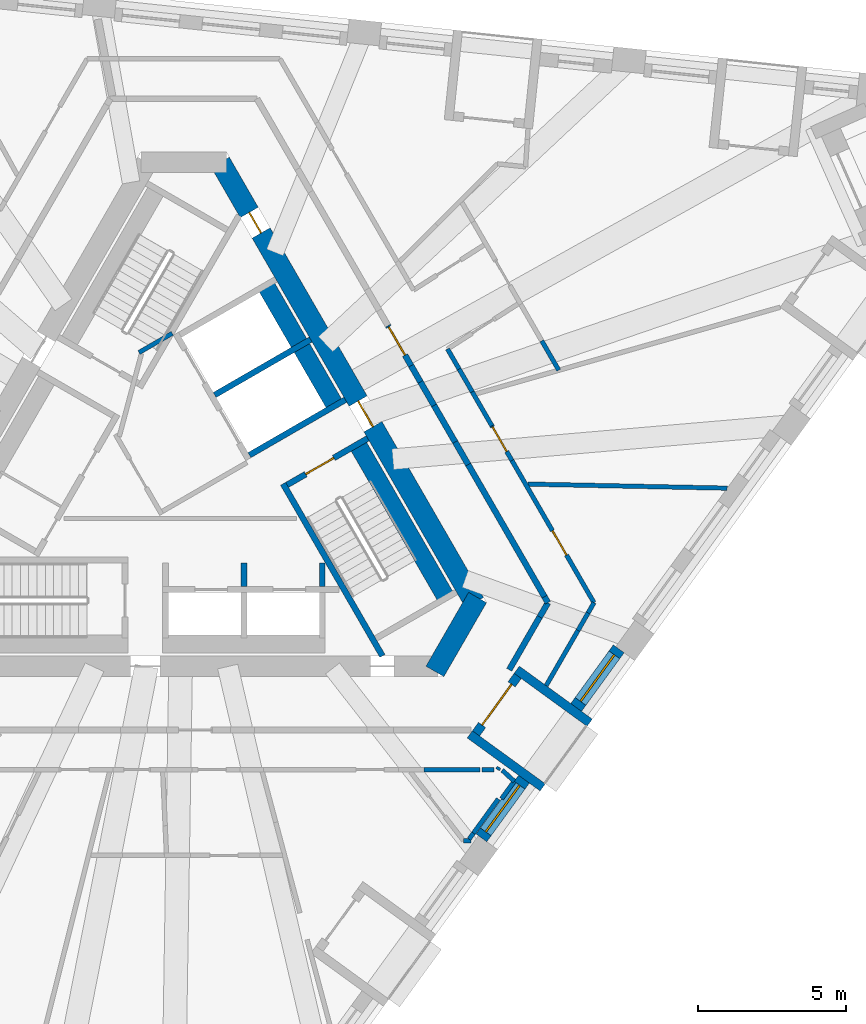
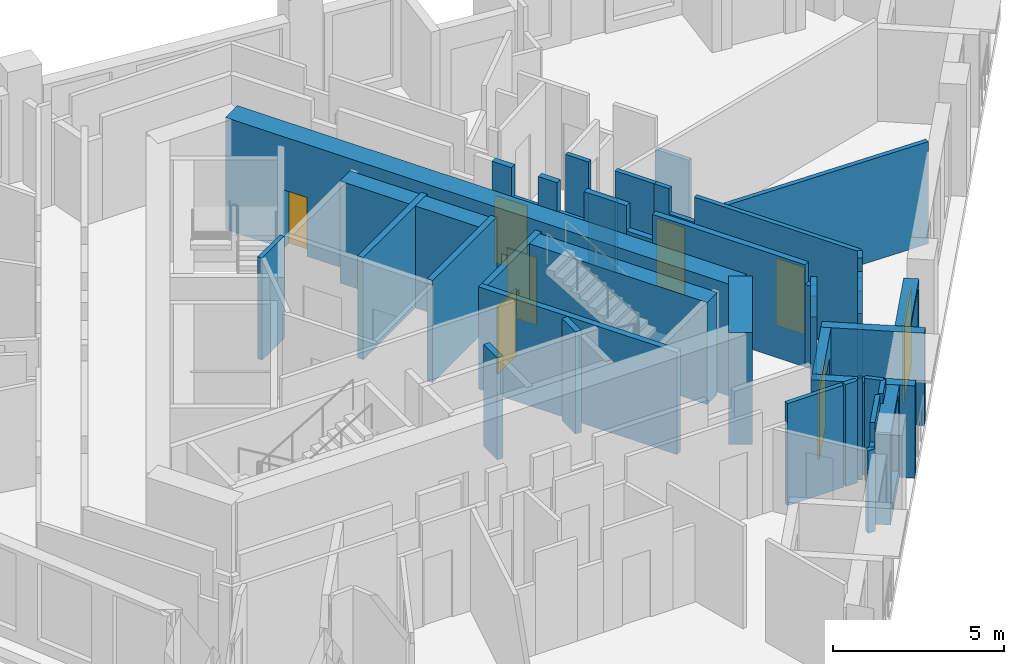
# One storey, part 5 of 11: 43 walls, 7 doors, 2 windows, 9 openings.
"""IFC4 building model written with IfcOpenShell, lengths in metres."""

import ifcopenshell
import ifcopenshell.guid

model = None  # the IFC model being written
_history = None  # IfcOwnerHistory: only IFC2X3 demands one
_inside = {}  # id of a spatial element -> (the spatial element, [elements in it])
_under = {}  # id of a project, library or spatial element -> (it, [spatial elements below it])
_declared = {}  # id of a project -> (the project, [libraries it declares])
_typed = {}  # id of a type object -> (the type object, [elements of that type])
_made_of = {}  # id of a material, layer set ... -> (it, [elements and type objects made of it])


def new_model(schema):
    """Start an empty IFC model of exactly this schema.

    Asked for "IFC4X3", IfcOpenShell would pick the latest addendum, in which some entities
    have other attributes; the version numbers below select the first issue.
    IFC2X3 requires an IfcOwnerHistory on every rooted entity: one is made here for all.
    """
    global model, _history
    if schema == "IFC4X3":
        model = ifcopenshell.file(schema_version=(4, 3, 0, 0))
    else:
        model = ifcopenshell.file(schema=schema)
    _inside.clear()
    _under.clear()
    _declared.clear()
    _typed.clear()
    _made_of.clear()
    _history = None
    if model.schema == "IFC2X3":
        org = make("IfcOrganization", Name="unknown")
        user = make(
            "IfcPersonAndOrganization",
            ThePerson=make("IfcPerson", FamilyName="unknown"),
            TheOrganization=org,
        )
        app = make(
            "IfcApplication",
            ApplicationDeveloper=org,
            Version="unknown",
            ApplicationFullName="unknown",
            ApplicationIdentifier="unknown",
        )
        _history = make(
            "IfcOwnerHistory",
            OwningUser=user,
            OwningApplication=app,
            ChangeAction="ADDED",
            CreationDate=0,
        )
    return model


def make(cls, **values):
    """One entity of the class cls with the attributes given. An attribute that is None is left unset."""
    return model.create_entity(
        cls, **{name: value for name, value in values.items() if value is not None}
    )


def rooted(cls, **values):
    """An entity with a GlobalId (a new one), such as an element, a storey or a relation."""
    return make(cls, GlobalId=ifcopenshell.guid.new(), OwnerHistory=_history, **values)


def si_unit(unit_type, name, prefix=None):
    """IfcSIUnit, for example si_unit("LENGTHUNIT", "METRE", prefix="MILLI")."""
    return make("IfcSIUnit", UnitType=unit_type, Prefix=prefix, Name=name)


def assignment(units):
    """IfcUnitAssignment: the units of a project."""
    return None if units is None else make("IfcUnitAssignment", Units=units)


def point(xyz):
    """IfcCartesianPoint."""
    return None if xyz is None else make("IfcCartesianPoint", Coordinates=xyz)


def direction(xyz):
    """IfcDirection."""
    return None if xyz is None else make("IfcDirection", DirectionRatios=xyz)


def frame(location, z_axis=None, x_axis=None):
    """IfcAxis2Placement3D, a coordinate frame: its origin and axes. An axis left out is left unset."""
    return make(
        "IfcAxis2Placement3D",
        Location=point(location),
        Axis=direction(z_axis),
        RefDirection=direction(x_axis),
    )


def frame_2d(location, x_axis=None):
    """IfcAxis2Placement2D, a coordinate frame in the plane: its origin and x axis."""
    return make(
        "IfcAxis2Placement2D", Location=point(location), RefDirection=direction(x_axis)
    )


def origin():
    """The frame at (0, 0, 0) with its axes left unset."""
    return frame((0.0, 0.0, 0.0))


def place(relative_to, where):
    """IfcLocalPlacement: puts the frame where relative to a parent placement (None: the world)."""
    return make(
        "IfcLocalPlacement", PlacementRelTo=relative_to, RelativePlacement=where
    )


def context(
    kind, dimensions, precision=None, world=None, true_north=None, identifier=None
):
    """IfcGeometricRepresentationContext, for example the 3D "Model" context."""
    return make(
        "IfcGeometricRepresentationContext",
        ContextIdentifier=identifier,
        ContextType=kind,
        CoordinateSpaceDimension=dimensions,
        Precision=precision,
        WorldCoordinateSystem=world,
        TrueNorth=true_north,
    )


def subcontext(parent, identifier, kind, view, scale=None):
    """IfcGeometricRepresentationSubContext, for example "Body" below "Model"."""
    return make(
        "IfcGeometricRepresentationSubContext",
        ContextIdentifier=identifier,
        ContextType=kind,
        ParentContext=parent,
        TargetScale=scale,
        TargetView=view,
    )


def project(units=None, contexts=None):
    """IfcProject with its units and contexts."""
    return rooted(
        "IfcProject",
        Name="project",
        RepresentationContexts=contexts,
        UnitsInContext=assignment(units),
    )


def spatial(cls, under=None, at=None, **own):
    """A site, building, storey or space (cls), placed at a placement, below another one or the project."""
    s = rooted(cls, ObjectPlacement=at, **own)
    if under is not None:
        _under.setdefault(under.id(), (under, []))[1].append(s)
    return s


def polyline(points):
    """IfcPolyline through the points."""
    return make("IfcPolyline", Points=[point(p) for p in points])


def profile(cls, at=None, kind="AREA", **sizes):
    """A parametric profile (cls). Its sizes go by their IFC names, for example OverallWidth=200.0."""
    return make(cls, ProfileType=kind, Position=at, **sizes)


def rectangle(**sizes):
    """IfcRectangleProfileDef."""
    return profile("IfcRectangleProfileDef", **sizes)


def outline(outer, holes=None, kind="AREA"):
    """IfcArbitraryClosedProfileDef: a profile drawn as a closed curve; with holes, ...WithVoids."""
    if holes is None:
        return make("IfcArbitraryClosedProfileDef", ProfileType=kind, OuterCurve=outer)
    return make(
        "IfcArbitraryProfileDefWithVoids",
        ProfileType=kind,
        OuterCurve=outer,
        InnerCurves=holes,
    )


def extrude(swept, where, along, depth):
    """IfcExtrudedAreaSolid: the profile swept, set in the frame where, extruded along a direction by depth."""
    return make(
        "IfcExtrudedAreaSolid",
        SweptArea=swept,
        Position=where,
        ExtrudedDirection=direction(along),
        Depth=depth,
    )


def shape(context_of_items, identifier, shape_type, items):
    """IfcShapeRepresentation: the items that make up one representation, for example the "Body"."""
    return make(
        "IfcShapeRepresentation",
        ContextOfItems=context_of_items,
        RepresentationIdentifier=identifier,
        RepresentationType=shape_type,
        Items=items,
    )


def material(Name=None, Category=None):
    """IfcMaterial."""
    return make("IfcMaterial", Name=Name, Category=Category)


def layer(
    of_material, thickness, ventilated=None, Name=None, Category=None, Priority=None
):
    """IfcMaterialLayer: one layer of a wall or slab, of a material (None: an air gap)."""
    return make(
        "IfcMaterialLayer",
        Material=of_material,
        LayerThickness=thickness,
        IsVentilated=ventilated,
        Name=Name,
        Category=Category,
        Priority=Priority,
    )


def layer_set(layers, Name=None):
    """IfcMaterialLayerSet."""
    return make("IfcMaterialLayerSet", MaterialLayers=layers, LayerSetName=Name)


def made_of(thing, what):
    """Note that an element or type object is made of a material, layer set ...; save() writes the relation."""
    if what is not None:
        _made_of.setdefault(what.id(), (what, []))[1].append(thing)
    return thing


def type_object(cls, material=None, **own):
    """A type object (cls), such as IfcWallType, which elements share."""
    return made_of(rooted(cls, **own), material)


def element(
    cls,
    number,
    at=None,
    inside=None,
    cuts=None,
    type_object=None,
    material=None,
    context=None,
    identifier="Body",
    shape_type=None,
    held_by="IfcProductDefinitionShape",
    body=None,
    shapes=None,
    **own,
):
    """One element of the class cls, such as IfcWall. Its Tag is "e" and its number.

    at: its placement. inside: the storey or other place that contains it. cuts: it is an
    opening in that element (IfcRelVoidsElement). A single representation is given by context,
    identifier, shape_type and body (its items); several are given by shapes. held_by: the class
    of the entity that holds the representations. save() writes the other relations.
    """
    e = rooted(cls, Tag="e%d" % number, ObjectPlacement=at, **own)
    if body is not None:
        shapes = [shape(context, identifier, shape_type, body)]
    if shapes is not None:
        e.Representation = make(held_by, Representations=shapes)
    if inside is not None:
        _inside.setdefault(inside.id(), (inside, []))[1].append(e)
    if cuts is not None:
        rooted(
            "IfcRelVoidsElement", RelatingBuildingElement=cuts, RelatedOpeningElement=e
        )
    if type_object is not None:
        _typed.setdefault(type_object.id(), (type_object, []))[1].append(e)
    return made_of(e, material)


def fill(opening, filler):
    """IfcRelFillsElement: the door or window that sits in an opening."""
    return rooted(
        "IfcRelFillsElement",
        RelatingOpeningElement=opening,
        RelatedBuildingElement=filler,
    )


def aggregate(whole, parts):
    """IfcRelAggregates: a whole, such as a stair, and the parts it consists of."""
    return rooted("IfcRelAggregates", RelatingObject=whole, RelatedObjects=parts)


def save(model, path):
    """Write the relations noted so far, then the file.

    IfcRelAggregates (storeys below a building ...), IfcRelContainedInSpatialStructure (elements
    in a storey), IfcRelDefinesByType, IfcRelAssociatesMaterial and IfcRelDeclares: one each for
    every whole, place, type object, material and project.
    """
    for whole, parts in _under.values():
        aggregate(whole, parts)
    for where, things in _inside.values():
        rooted(
            "IfcRelContainedInSpatialStructure",
            RelatedElements=things,
            RelatingStructure=where,
        )
    for kind, things in _typed.values():
        rooted("IfcRelDefinesByType", RelatedObjects=things, RelatingType=kind)
    for what, things in _made_of.values():
        rooted("IfcRelAssociatesMaterial", RelatedObjects=things, RelatingMaterial=what)
    for by, libraries in _declared.values():
        rooted("IfcRelDeclares", RelatingContext=by, RelatedDefinitions=libraries)
    model.write(path)


model = new_model("IFC4")

# Units and contexts
model_context = context("Model", 3, precision=1e-05, world=origin(), true_north=direction((0.0, 1.0)))
body_context = subcontext(model_context, "Body", "Model", "MODEL_VIEW")
ifc_project = project(units=[si_unit("LENGTHUNIT", "METRE"), si_unit("AREAUNIT", "SQUARE_METRE"), si_unit("VOLUMEUNIT", "CUBIC_METRE"), si_unit("PLANEANGLEUNIT", "RADIAN"), si_unit("MASSUNIT", "GRAM", prefix="KILO")], contexts=[model_context])

# Site, building, storey
site_placement = place(None, origin())
site = spatial("IfcSite", under=ifc_project, at=site_placement, CompositionType="ELEMENT")
building_placement = place(site_placement, origin())
building = spatial("IfcBuilding", under=site, at=building_placement, Name="Tramontana Tower", CompositionType="ELEMENT")
storey_placement = place(building_placement, frame((0.0, 0.0, 253.199951171875)))
storey = spatial("IfcBuildingStorey", under=building, at=storey_placement, Name="L59", CompositionType="ELEMENT", Elevation=253.199951171875)

# Wall
ifc_material_1 = material(Name="Concrete 70 MPa", Category="concrete")
ifc_layer_1 = layer(ifc_material_1, 0.699951171875)
ifc_layer_set_1 = layer_set([ifc_layer_1], Name="Core wall 700 70 MPa")
wall_type_1 = type_object("IfcWallType", Name="Core wall 700 70 MPa", PredefinedType="SHEAR", material=ifc_layer_set_1)
wall_1_placement = place(storey_placement, frame((8.50146484375, -6.574951171875, 0.0), z_axis=(0.0, 0.0, 1.0), x_axis=(0.499995765644, 0.866027848477, 0.0)))
element("IfcWall", 1, at=wall_1_placement, inside=storey, type_object=wall_type_1, Name="Core wall C4 L59", PredefinedType="SHEAR", context=body_context, shape_type="SweptSolid", body=[
    extrude(rectangle(XDim=2.88671875, YDim=0.699951171875, at=frame_2d((1.443359375, 0.0))), origin(), (0.0, 0.0, 1.0), 4.0),
])

# Wall, openings, doors
wall_2_placement = place(storey_placement, frame((9.84375, -4.25, 0.0), z_axis=(0.0, 0.0, 1.0), x_axis=(-0.500003331888, 0.866023480109, 0.0)))
wall_2 = element("IfcWall", 2, at=wall_2_placement, inside=storey, type_object=wall_type_1, Name="Core wall C5 L59", PredefinedType="SHEAR", context=body_context, shape_type="SweptSolid", body=[
    extrude(rectangle(XDim=17.205078125, YDim=0.699951171875, at=frame_2d((8.6025390625, 0.0))), origin(), (0.0, 0.0, 1.0), 4.0),
])
opening_1_placement = place(wall_2_placement, frame((6.87744140625, 0.0, 0.0)))
opening_1 = element("IfcOpeningElement", 3, at=opening_1_placement, cuts=wall_2, Name="Opening RG3", PredefinedType="OPENING", context=body_context, shape_type="SweptSolid", body=[
    extrude(rectangle(XDim=1.0, YDim=2.39990234375, at=frame_2d((0.5, 1.199951171875))), frame((0.0, 0.35986328125, 0.0), z_axis=(0.0, -1.0, 0.0), x_axis=(1.0, 0.0, 0.0)), (0.0, 0.0, 1.0), 0.719970703125),
])
opening_2_placement = place(wall_2_placement, frame((14.445068359375, 0.0, 0.0)))
opening_2 = element("IfcOpeningElement", 4, at=opening_2_placement, cuts=wall_2, Name="Opening PD3", PredefinedType="OPENING", context=body_context, shape_type="SweptSolid", body=[
    extrude(rectangle(XDim=0.800048828125, YDim=2.10009765625, at=frame_2d((0.39990234375, 1.050048828125))), frame((0.0, 0.35986328125, 0.0), z_axis=(0.0, -1.0, 0.0), x_axis=(1.0, 0.0, 0.0)), (0.0, 0.0, 1.0), 0.719970703125),
])
ifc_material_2 = material(Name="Painted steel", Category="steel")
door_type_1 = type_object("IfcDoorType", Name="CUPBOARD DOOR 800", OperationType="SINGLE_SWING_LEFT", PredefinedType="DOOR", material=ifc_material_2)
door_1_placement = place(opening_2_placement, origin())
door_1 = element("IfcDoor", 5, at=door_1_placement, inside=storey, type_object=door_type_1, Name="Door PD3", OperationType="SINGLE_SWING_RIGHT", OverallHeight=2.10009765625, OverallWidth=0.800048828125, PredefinedType="DOOR", context=body_context, shape_type="SweptSolid", body=[
    extrude(rectangle(XDim=0.800048828125, YDim=2.10009765625, at=frame_2d((0.39990234375, 1.050048828125))), frame((0.0, 0.02490234375, 0.0), z_axis=(0.0, -1.0, 0.0), x_axis=(1.0, 0.0, 0.0)), (0.0, 0.0, 1.0), 0.050048828125),
])
fill(opening_2, door_1)
ifc_material_3 = material(Name="Painted steel", Category="steel")
door_type_2 = type_object("IfcDoorType", Name="RING DOOR 1000", OperationType="SINGLE_SWING_LEFT", PredefinedType="DOOR", material=ifc_material_3)
door_2_placement = place(opening_1_placement, origin())
door_2 = element("IfcDoor", 6, at=door_2_placement, inside=storey, type_object=door_type_2, Name="Door RG3", OperationType="SINGLE_SWING_RIGHT", OverallHeight=2.39990234375, OverallWidth=1.0, PredefinedType="DOOR", context=body_context, shape_type="SweptSolid", body=[
    extrude(rectangle(XDim=1.0, YDim=2.39990234375, at=frame_2d((0.5, 1.199951171875))), frame((0.0, 0.02490234375, 0.0), z_axis=(0.0, -1.0, 0.0), x_axis=(1.0, 0.0, 0.0)), (0.0, 0.0, 1.0), 0.050048828125),
])
fill(opening_1, door_2)

# Walls
ifc_material_4 = material(Name="Blockwork", Category="masonry")
ifc_layer_2 = layer(ifc_material_4, 0.199951171875)
ifc_layer_set_2 = layer_set([ifc_layer_2], Name="ENTRY WALL 200")
wall_type_2 = type_object("IfcWallType", Name="ENTRY WALL 200", PredefinedType="SOLIDWALL", material=ifc_layer_set_2)
wall_3_placement = place(storey_placement, frame((12.326416015625, -4.25, 0.0), z_axis=(0.0, 0.0, 1.0), x_axis=(-0.500000383388, -0.866025182435, 0.0)))
element("IfcWall", 7, at=wall_3_placement, inside=storey, type_object=wall_type_2, Name="Wall v61-ew0-0", PredefinedType="SOLIDWALL", context=body_context, shape_type="SweptSolid", body=[
    extrude(rectangle(XDim=0.5576171875, YDim=0.199951171875, at=frame_2d((0.27880859375, 0.0))), origin(), (0.0, 0.0, 1.0), 2.949951171875),
])
wall_4_placement = place(storey_placement, frame((12.047607421875, -4.73291015625, 0.0), z_axis=(0.0, 0.0, 1.0), x_axis=(-0.499958106649, -0.866049589571, 0.0)))
element("IfcWall", 8, at=wall_4_placement, inside=storey, type_object=wall_type_2, Name="Wall v61-ew0-1", PredefinedType="SOLIDWALL", context=body_context, shape_type="SweptSolid", body=[
    extrude(rectangle(XDim=2.062744140625, YDim=0.199951171875, at=frame_2d((1.03125, 0.0))), origin(), (0.0, 0.0, 1.0), 3.650146484375),
])

# Wall, opening, door
wall_5_placement = place(storey_placement, frame((6.914306640625, 5.124267578125, 0.0), z_axis=(0.0, 0.0, 1.0), x_axis=(0.499861922145, -0.866105108396, 0.0)))
wall_5 = element("IfcWall", 9, at=wall_5_placement, inside=storey, type_object=wall_type_2, Name="Wall v61-ew5-5", PredefinedType="SOLIDWALL", context=body_context, shape_type="SweptSolid", body=[
    extrude(outline(polyline([(0.0, 0.0), (1.56591796875, 0.0), (1.56591796875, 2.550048828125), (0.665771484375, 2.550048828125), (0.665771484375, 3.650146484375), (0.0, 3.650146484375), (0.0, 0.0)])), frame((0.0, 0.10009765625, 0.0), z_axis=(0.0, -1.0, 0.0), x_axis=(1.0, 0.0, 0.0)), (0.0, 0.0, 1.0), 0.199951171875),
])
opening_3_placement = place(wall_5_placement, frame((0.050048828125, 0.0, 0.0)))
opening_3 = element("IfcOpeningElement", 10, at=opening_3_placement, cuts=wall_5, Name="Opening B6B-23", PredefinedType="OPENING", context=body_context, shape_type="SweptSolid", body=[
    extrude(rectangle(XDim=1.10009765625, YDim=2.39990234375, at=frame_2d((0.550048828125, 1.199951171875))), frame((0.0, 0.10986328125, 0.0), z_axis=(0.0, -1.0, 0.0), x_axis=(1.0, 0.0, 0.0)), (0.0, 0.0, 1.0), 0.219970703125),
])
ifc_material_5 = material(Name="Painted timber", Category="wood")
door_type_3 = type_object("IfcDoorType", Name="DOOR ENTRY 1100", OperationType="SINGLE_SWING_LEFT", PredefinedType="DOOR", material=ifc_material_5)
door_3_placement = place(opening_3_placement, origin())
door_3 = element("IfcDoor", 11, at=door_3_placement, inside=storey, type_object=door_type_3, Name="Door B6B-23", OperationType="SINGLE_SWING_LEFT", OverallHeight=2.39990234375, OverallWidth=1.10009765625, PredefinedType="DOOR", context=body_context, shape_type="SweptSolid", body=[
    extrude(rectangle(XDim=1.10009765625, YDim=2.39990234375, at=frame_2d((0.550048828125, 1.199951171875))), frame((0.0, 0.02490234375, 0.0), z_axis=(0.0, -1.0, 0.0), x_axis=(1.0, 0.0, 0.0)), (0.0, 0.0, 1.0), 0.050048828125),
])
fill(opening_3, door_3)

# Walls
wall_6_placement = place(storey_placement, frame((7.697021484375, 3.76806640625, 0.0), z_axis=(0.0, 0.0, 1.0), x_axis=(0.50012328804, -0.865954211699, 0.0)))
element("IfcWall", 12, at=wall_6_placement, inside=storey, type_object=wall_type_2, Name="Wall v61-ew5-6", PredefinedType="SOLIDWALL", context=body_context, shape_type="SweptSolid", body=[
    extrude(rectangle(XDim=0.632568359375, YDim=0.199951171875, at=frame_2d((0.31640625, 0.0))), origin(), (0.0, 0.0, 1.0), 3.650146484375),
])
wall_7_placement = place(storey_placement, frame((8.013427734375, 3.22021484375, 0.0), z_axis=(0.0, 0.0, 1.0), x_axis=(0.500175591747, -0.865924002104, 0.0)))
element("IfcWall", 13, at=wall_7_placement, inside=storey, type_object=wall_type_2, Name="Wall v61-ew5-7", PredefinedType="SOLIDWALL", context=body_context, shape_type="SweptSolid", body=[
    extrude(rectangle(XDim=0.917236328125, YDim=0.199951171875, at=frame_2d((0.45849609375, 0.0))), origin(), (0.0, 0.0, 1.0), 2.550048828125),
])
wall_8_placement = place(storey_placement, frame((8.47216796875, 2.426025390625, 0.0), z_axis=(0.0, 0.0, 1.0), x_axis=(0.499904796234, -0.866080362727, 0.0)))
element("IfcWall", 14, at=wall_8_placement, inside=storey, type_object=wall_type_2, Name="Wall v61-ew5-8", PredefinedType="SOLIDWALL", context=body_context, shape_type="SweptSolid", body=[
    extrude(rectangle(XDim=1.429443359375, YDim=0.199951171875, at=frame_2d((0.71484375, 0.0))), origin(), (0.0, 0.0, 1.0), 3.650146484375),
])
wall_9_placement = place(storey_placement, frame((9.186767578125, 1.18798828125, 0.0), z_axis=(0.0, 0.0, 1.0), x_axis=(0.500121072013, -0.86595549154, 0.0)))
element("IfcWall", 15, at=wall_9_placement, inside=storey, type_object=wall_type_2, Name="Wall v61-ew5-9", PredefinedType="SOLIDWALL", context=body_context, shape_type="SweptSolid", body=[
    extrude(rectangle(XDim=0.883544921875, YDim=0.199951171875, at=frame_2d((0.44189453125, 0.0))), origin(), (0.0, 0.0, 1.0), 2.75),
])
wall_10_placement = place(storey_placement, frame((9.628662109375, 0.4228515625, 0.0), z_axis=(0.0, 0.0, 1.0), x_axis=(0.499995433041, -0.866028040503, 0.0)))
element("IfcWall", 16, at=wall_10_placement, inside=storey, type_object=wall_type_2, Name="Wall v61-ew5-10", PredefinedType="SOLIDWALL", context=body_context, shape_type="SweptSolid", body=[
    extrude(rectangle(XDim=5.1611328125, YDim=0.199951171875, at=frame_2d((2.58056640625, 0.0))), origin(), (0.0, 0.0, 1.0), 3.650146484375),
])
wall_11_placement = place(storey_placement, frame((12.209228515625, -4.046875, 0.0), z_axis=(0.0, 0.0, 1.0), x_axis=(0.49972245349, -0.866185586049, 0.0)))
element("IfcWall", 17, at=wall_11_placement, inside=storey, type_object=wall_type_2, Name="Wall v61-ew5-11", PredefinedType="SOLIDWALL", context=body_context, shape_type="SweptSolid", body=[
    extrude(rectangle(XDim=0.234619140625, YDim=0.199951171875, at=frame_2d((0.1171875, 0.0))), origin(), (0.0, 0.0, 1.0), 2.949951171875),
])

# Wall, opening, window
ifc_material_6 = material(Name="Precast concrete 60 MPa", Category="concrete")
ifc_layer_3 = layer(ifc_material_6, 0.449951171875)
ifc_layer_set_3 = layer_set([ifc_layer_3], Name="Precast concrete 60 MPa, 450 mm")
wall_type_3 = type_object("IfcWallType", Name="EW1 Stone-faced precast wall 450", PredefinedType="SOLIDWALL", material=ifc_layer_set_3)
wall_12_placement = place(storey_placement, frame((10.074462890625, -12.2060546875, 0.0), z_axis=(0.0, 0.0, 1.0), x_axis=(0.587792773076, 0.809011530152, 0.0)))
wall_12 = element("IfcWall", 18, at=wall_12_placement, inside=storey, type_object=wall_type_3, Name="External wall L59 face 1 bay 3", PredefinedType="SOLIDWALL", context=body_context, shape_type="SweptSolid", body=[
    extrude(rectangle(XDim=2.4521484375, YDim=0.449951171875, at=frame_2d((1.22607421875, 0.0))), origin(), (0.0, 0.0, 1.0), 3.300048828125),
])
opening_4_placement = place(wall_12_placement, frame((0.251220703125, 0.0, 0.39990234375)))
opening_4 = element("IfcOpeningElement", 19, at=opening_4_placement, cuts=wall_12, Name="Opening M3", PredefinedType="OPENING", context=body_context, shape_type="SweptSolid", body=[
    extrude(rectangle(XDim=1.949951171875, YDim=2.75, at=frame_2d((0.97509765625, 1.375))), frame((0.0, 0.23486328125, 0.0), z_axis=(0.0, -1.0, 0.0), x_axis=(1.0, 0.0, 0.0)), (0.0, 0.0, 1.0), 0.469970703125),
])
ifc_material_7 = material(Name="Aluminum frame, double glazing unit", Category="aluminium")
window_type = type_object("IfcWindowType", Name="M3 Window 1.95 x 2.75", PartitioningType="SINGLE_PANEL", PredefinedType="WINDOW", material=ifc_material_7)
window_1_placement = place(opening_4_placement, origin())
window_1 = element("IfcWindow", 20, at=window_1_placement, inside=storey, type_object=window_type, Name="Window M3 L59 face 1 module 7", OverallHeight=2.75, OverallWidth=1.949951171875, PartitioningType="SINGLE_PANEL", PredefinedType="WINDOW", context=body_context, shape_type="SweptSolid", body=[
    extrude(rectangle(XDim=1.949951171875, YDim=2.75, at=frame_2d((0.97509765625, 1.375))), frame((0.0, 0.030029296875, 0.0), z_axis=(0.0, -1.0, 0.0), x_axis=(1.0, 0.0, 0.0)), (0.0, 0.0, 1.0), 0.06005859375),
])
fill(opening_4, window_1)

wall_13_placement = place(storey_placement, frame((13.280517578125, -7.79345703125, 0.0), z_axis=(0.0, 0.0, 1.0), x_axis=(0.587792773076, 0.809011530152, 0.0)))
wall_13 = element("IfcWall", 21, at=wall_13_placement, inside=storey, type_object=wall_type_3, Name="External wall L59 face 1 bay 3", PredefinedType="SOLIDWALL", context=body_context, shape_type="SweptSolid", body=[
    extrude(rectangle(XDim=2.4521484375, YDim=0.449951171875, at=frame_2d((1.22607421875, 0.0))), origin(), (0.0, 0.0, 1.0), 3.300048828125),
])
opening_5_placement = place(wall_13_placement, frame((0.251220703125, 0.0, 0.39990234375)))
opening_5 = element("IfcOpeningElement", 22, at=opening_5_placement, cuts=wall_13, Name="Opening M3", PredefinedType="OPENING", context=body_context, shape_type="SweptSolid", body=[
    extrude(rectangle(XDim=1.949951171875, YDim=2.75, at=frame_2d((0.97509765625, 1.375))), frame((0.0, 0.23486328125, 0.0), z_axis=(0.0, -1.0, 0.0), x_axis=(1.0, 0.0, 0.0)), (0.0, 0.0, 1.0), 0.469970703125),
])
window_2_placement = place(opening_5_placement, origin())
window_2 = element("IfcWindow", 23, at=window_2_placement, inside=storey, type_object=window_type, Name="Window M3 L59 face 1 module 9", OverallHeight=2.75, OverallWidth=1.949951171875, PartitioningType="SINGLE_PANEL", PredefinedType="WINDOW", context=body_context, shape_type="SweptSolid", body=[
    extrude(rectangle(XDim=1.949951171875, YDim=2.75, at=frame_2d((0.97509765625, 1.375))), frame((0.0, 0.030029296875, 0.0), z_axis=(0.0, -1.0, 0.0), x_axis=(1.0, 0.0, 0.0)), (0.0, 0.0, 1.0), 0.06005859375),
])
fill(opening_5, window_2)

# Wall, opening, door
ifc_material_8 = material(Name="Precast concrete 60 MPa", Category="concrete")
ifc_layer_4 = layer(ifc_material_8, 0.300048828125)
ifc_layer_set_4 = layer_set([ifc_layer_4], Name="LW1 Stone-faced loggia wall 300")
wall_type_4 = type_object("IfcWallType", Name="LW1 Stone-faced loggia wall 300", PredefinedType="SOLIDWALL", material=ifc_layer_set_4)
wall_14_placement = place(storey_placement, frame((9.89208984375, -8.671630859375, 0.0), z_axis=(0.0, 0.0, 1.0), x_axis=(0.587833242688, 0.808982125137, 0.0)))
wall_14 = element("IfcWall", 24, at=wall_14_placement, inside=storey, type_object=wall_type_4, Name="Loggia wall L59 G6S1.7", PredefinedType="SOLIDWALL", context=body_context, shape_type="SweptSolid", body=[
    extrude(rectangle(XDim=2.40234375, YDim=0.300048828125, at=frame_2d((1.201171875, 0.0))), origin(), (0.0, 0.0, 1.0), 3.300048828125),
])
opening_6_placement = place(wall_14_placement, frame((0.35107421875, 0.0, 0.0)))
opening_6 = element("IfcOpeningElement", 25, at=opening_6_placement, cuts=wall_14, Name="Opening BD-6S1-07", PredefinedType="OPENING", context=body_context, shape_type="SweptSolid", body=[
    extrude(rectangle(XDim=1.699951171875, YDim=2.5, at=frame_2d((0.85009765625, 1.25))), frame((0.0, 0.159912109375, 0.0), z_axis=(0.0, -1.0, 0.0), x_axis=(1.0, 0.0, 0.0)), (0.0, 0.0, 1.0), 0.320068359375),
])
ifc_material_9 = material(Name="Aluminum frame, double glazing unit", Category="aluminium")
door_type_4 = type_object("IfcDoorType", Name="BD3 Sliding door 1.7 x 2.5", OperationType="SLIDING_TO_LEFT", PredefinedType="DOOR", material=ifc_material_9)
door_4_placement = place(opening_6_placement, origin())
door_4 = element("IfcDoor", 26, at=door_4_placement, inside=storey, type_object=door_type_4, Name="Loggia door L59 G6S1.7", OperationType="SLIDING_TO_LEFT", OverallHeight=2.5, OverallWidth=1.699951171875, PredefinedType="DOOR", context=body_context, shape_type="SweptSolid", body=[
    extrude(rectangle(XDim=1.699951171875, YDim=2.5, at=frame_2d((0.85009765625, 1.25))), frame((0.0, 0.02490234375, 0.0), z_axis=(0.0, -1.0, 0.0), x_axis=(1.0, 0.0, 0.0)), (0.0, 0.0, 1.0), 0.050048828125),
])
fill(opening_6, door_4)

# Walls
for number, where, z_axis, x_axis, name in (
    (27, (12.150146484375, -10.49755859375, 0.0), (0.0, 0.0, 1.0), (-0.80902328748, 0.587776590479, 0.0), "Loggia return L59 G6S1.7a"),
    (28, (13.738525390625, -8.3115234375, 0.0), (0.0, 0.0, 1.0), (-0.80902328748, 0.587776590479, 0.0), "Loggia return L59 G6S1.7b"),
):
    element("IfcWall", number, at=place(storey_placement, frame(where, z_axis=z_axis, x_axis=x_axis)), inside=storey, type_object=wall_type_4, Name=name, PredefinedType="SOLIDWALL", context=body_context, shape_type="SweptSolid", body=[
        extrude(rectangle(XDim=3.050048828125, YDim=0.300048828125, at=frame_2d((1.52490234375, 0.0))), origin(), (0.0, 0.0, 1.0), 3.300048828125),
    ])
ifc_material_10 = material(Name="Gypsum board partition")
ifc_layer_5 = layer(ifc_material_10, 0.14990234375)
ifc_layer_set_5 = layer_set([ifc_layer_5], Name="PARTITION 150")
wall_type_5 = type_object("IfcWallType", Name="PARTITION 150", PredefinedType="PARTITIONING", material=ifc_layer_set_5)
wall_15_placement = place(storey_placement, frame((-1.509765625, 4.21484375, 0.0), z_axis=(0.0, 0.0, 1.0), x_axis=(0.866085525409, 0.49989585183, 0.0)))
element("IfcWall", 29, at=wall_15_placement, inside=storey, type_object=wall_type_5, Name="Wall ff-end1", PredefinedType="PARTITIONING", context=body_context, shape_type="SweptSolid", body=[
    extrude(rectangle(XDim=1.300048828125, YDim=0.14990234375, at=frame_2d((0.64990234375, 0.0))), origin(), (0.0, 0.0, 1.0), 3.650146484375),
])
wall_16_placement = place(storey_placement, frame((8.928955078125, 4.334716796875, 0.0), z_axis=(0.0, 0.0, 1.0), x_axis=(0.499919935369, -0.866071624186, 0.0)))
element("IfcWall", 30, at=wall_16_placement, inside=storey, type_object=wall_type_5, Name="Wall v61-pw24-0", PredefinedType="PARTITIONING", context=body_context, shape_type="SweptSolid", body=[
    extrude(rectangle(XDim=0.784912109375, YDim=0.14990234375, at=frame_2d((0.392578125, 0.0))), origin(), (0.0, 0.0, 1.0), 3.650146484375),
])
wall_17_placement = place(storey_placement, frame((9.3212890625, 3.655029296875, 0.0), z_axis=(0.0, 0.0, 1.0), x_axis=(0.499967368674, -0.86604424267, 0.0)))
element("IfcWall", 31, at=wall_17_placement, inside=storey, type_object=wall_type_5, Name="Wall v61-pw24-1", PredefinedType="PARTITIONING", context=body_context, shape_type="SweptSolid", body=[
    extrude(rectangle(XDim=0.8916015625, YDim=0.14990234375, at=frame_2d((0.44580078125, 0.0))), origin(), (0.0, 0.0, 1.0), 2.550048828125),
])
wall_18_placement = place(storey_placement, frame((9.76708984375, 2.8828125, 0.0), z_axis=(0.0, 0.0, 1.0), x_axis=(0.50001992892, -0.866013897511, 0.0)))
element("IfcWall", 32, at=wall_18_placement, inside=storey, type_object=wall_type_5, Name="Wall v61-pw24-2", PredefinedType="PARTITIONING", context=body_context, shape_type="SweptSolid", body=[
    extrude(rectangle(XDim=1.326171875, YDim=0.14990234375, at=frame_2d((0.6630859375, 0.0))), origin(), (0.0, 0.0, 1.0), 3.650146484375),
])

# Wall, opening, door
wall_19_placement = place(storey_placement, frame((10.43017578125, 1.734375, 0.0), z_axis=(0.0, 0.0, 1.0), x_axis=(0.500076281877, -0.865981357942, 0.0)))
wall_19 = element("IfcWall", 33, at=wall_19_placement, inside=storey, type_object=wall_type_5, Name="Wall v61-pw24-3", PredefinedType="PARTITIONING", context=body_context, shape_type="SweptSolid", body=[
    extrude(outline(polyline([(0.0, 0.0), (1.353759765625, 0.0), (1.353759765625, 2.75), (0.497802734375, 2.75), (0.497802734375, 3.650146484375), (0.0, 3.650146484375), (0.0, 0.0)])), frame((0.0, 0.074951171875, 0.0), z_axis=(0.0, -1.0, 0.0), x_axis=(1.0, 0.0, 0.0)), (0.0, 0.0, 1.0), 0.14990234375),
])
opening_7_placement = place(wall_19_placement, frame((0.050048828125, 0.0, 0.0)))
opening_7 = element("IfcOpeningElement", 34, at=opening_7_placement, cuts=wall_19, Name="Opening B6B-17", PredefinedType="OPENING", context=body_context, shape_type="SweptSolid", body=[
    extrude(rectangle(XDim=0.949951171875, YDim=2.39990234375, at=frame_2d((0.47509765625, 1.199951171875))), frame((0.0, 0.0849609375, 0.0), z_axis=(0.0, -1.0, 0.0), x_axis=(1.0, 0.0, 0.0)), (0.0, 0.0, 1.0), 0.169921875),
])
ifc_material_11 = material(Name="Painted timber", Category="wood")
door_type_5 = type_object("IfcDoorType", Name="DOOR ROOM 950", OperationType="SINGLE_SWING_LEFT", PredefinedType="DOOR", material=ifc_material_11)
door_5_placement = place(opening_7_placement, origin())
door_5 = element("IfcDoor", 35, at=door_5_placement, inside=storey, type_object=door_type_5, Name="Door B6B-17", OperationType="SINGLE_SWING_LEFT", OverallHeight=2.39990234375, OverallWidth=0.949951171875, PredefinedType="DOOR", context=body_context, shape_type="SweptSolid", body=[
    extrude(rectangle(XDim=0.949951171875, YDim=2.39990234375, at=frame_2d((0.47509765625, 1.199951171875))), frame((0.0, 0.02490234375, 0.0), z_axis=(0.0, -1.0, 0.0), x_axis=(1.0, 0.0, 0.0)), (0.0, 0.0, 1.0), 0.050048828125),
])
fill(opening_7, door_5)

wall_20_placement = place(storey_placement, frame((11.107177734375, 0.56201171875, 0.0), z_axis=(0.0, 0.0, 1.0), x_axis=(0.499981090573, -0.866036320872, 0.0)))
wall_20 = element("IfcWall", 36, at=wall_20_placement, inside=storey, type_object=wall_type_5, Name="Wall v61-pw24-4", PredefinedType="PARTITIONING", context=body_context, shape_type="SweptSolid", body=[
    extrude(rectangle(XDim=5.556396484375, YDim=0.14990234375, at=frame_2d((2.7783203125, 0.0))), origin(), (0.0, 0.0, 1.0), 3.650146484375),
])
opening_8_placement = place(wall_20_placement, frame((2.7421875, 0.0, 0.0)))
opening_8 = element("IfcOpeningElement", 37, at=opening_8_placement, cuts=wall_20, Name="Opening B6B-18", PredefinedType="OPENING", context=body_context, shape_type="SweptSolid", body=[
    extrude(rectangle(XDim=0.949951171875, YDim=2.39990234375, at=frame_2d((0.47509765625, 1.199951171875))), frame((0.0, 0.0849609375, 0.0), z_axis=(0.0, -1.0, 0.0), x_axis=(1.0, 0.0, 0.0)), (0.0, 0.0, 1.0), 0.169921875),
])
door_6_placement = place(opening_8_placement, origin())
door_6 = element("IfcDoor", 38, at=door_6_placement, inside=storey, type_object=door_type_5, Name="Door B6B-18", OperationType="SINGLE_SWING_RIGHT", OverallHeight=2.39990234375, OverallWidth=0.949951171875, PredefinedType="DOOR", context=body_context, shape_type="SweptSolid", body=[
    extrude(rectangle(XDim=0.949951171875, YDim=2.39990234375, at=frame_2d((0.47509765625, 1.199951171875))), frame((0.0, 0.02490234375, 0.0), z_axis=(0.0, -1.0, 0.0), x_axis=(1.0, 0.0, 0.0)), (0.0, 0.0, 1.0), 0.050048828125),
])
fill(opening_8, door_6)

# Walls
wall_21_placement = place(storey_placement, frame((12.1171875, 4.612548828125, 0.0), z_axis=(0.0, 0.0, 1.0), x_axis=(0.499930806979, -0.866065348708, 0.0)))
element("IfcWall", 39, at=wall_21_placement, inside=storey, type_object=wall_type_5, Name="Wall v61-pw25-4", PredefinedType="PARTITIONING", context=body_context, shape_type="SweptSolid", body=[
    extrude(rectangle(XDim=1.149658203125, YDim=0.14990234375, at=frame_2d((0.57470703125, 0.0))), origin(), (0.0, 0.0, 1.0), 2.550048828125),
])
wall_22_placement = place(storey_placement, frame((9.728271484375, -12.300048828125, 0.0), z_axis=(0.0, 0.0, 1.0), x_axis=(-1.0, 0.0, 0.0)))
element("IfcWall", 40, at=wall_22_placement, inside=storey, type_object=wall_type_5, Name="Wall v61-pw27-0", PredefinedType="PARTITIONING", context=body_context, shape_type="SweptSolid", body=[
    extrude(rectangle(XDim=0.258056640625, YDim=0.14990234375, at=frame_2d((0.12890625, 0.0))), origin(), (0.0, 0.0, 1.0), 2.949951171875),
])
wall_23_placement = place(storey_placement, frame((10.0224609375, -9.89990234375, 0.0), z_axis=(0.0, 0.0, 1.0), x_axis=(-1.0, 0.0, 0.0)))
element("IfcWall", 41, at=wall_23_placement, inside=storey, type_object=wall_type_5, Name="Wall v61-pw28-0", PredefinedType="PARTITIONING", context=body_context, shape_type="SweptSolid", body=[
    extrude(rectangle(XDim=1.888427734375, YDim=0.14990234375, at=frame_2d((0.9443359375, 0.0))), origin(), (0.0, 0.0, 1.0), 3.650146484375),
])
wall_24_placement = place(storey_placement, frame((10.09228515625, -9.89990234375, 0.0), z_axis=(0.0, 0.0, 1.0), x_axis=(1.0, 0.0, 0.0)))
element("IfcWall", 42, at=wall_24_placement, inside=storey, type_object=wall_type_5, Name="Wall v61-pw29", PredefinedType="PARTITIONING", context=body_context, shape_type="SweptSolid", body=[
    extrude(rectangle(XDim=0.406982421875, YDim=0.14990234375, at=frame_2d((0.20361328125, 0.0))), origin(), (0.0, 0.0, 1.0), 3.650146484375),
])
wall_25_placement = place(storey_placement, frame((10.64794921875, -10.889404296875, 0.0), z_axis=(0.0, 0.0, 1.0), x_axis=(-0.587766191515, -0.809030842497, 0.0)))
element("IfcWall", 43, at=wall_25_placement, inside=storey, type_object=wall_type_5, Name="Wall v61-pw31-0", PredefinedType="PARTITIONING", context=body_context, shape_type="SweptSolid", body=[
    extrude(rectangle(XDim=1.43212890625, YDim=0.14990234375, at=frame_2d((0.716064453125, 0.0))), origin(), (0.0, 0.0, 1.0), 3.650146484375),
])
wall_26_placement = place(storey_placement, frame((9.80615234375, -12.048095703125, 0.0), z_axis=(0.0, 0.0, 1.0), x_axis=(-0.587880852015, -0.80894752848, 0.0)))
element("IfcWall", 44, at=wall_26_placement, inside=storey, type_object=wall_type_5, Name="Wall v61-pw31-1", PredefinedType="PARTITIONING", context=body_context, shape_type="SweptSolid", body=[
    extrude(rectangle(XDim=0.24951171875, YDim=0.14990234375, at=frame_2d((0.124755859375, 0.0))), origin(), (0.0, 0.0, 1.0), 2.949951171875),
])
wall_27_placement = place(storey_placement, frame((10.67041015625, -9.818603515625, 0.0), z_axis=(0.0, 0.0, 1.0), x_axis=(-0.501445883607, -0.865189011612, 0.0)))
element("IfcWall", 45, at=wall_27_placement, inside=storey, type_object=wall_type_5, Name="Wall v61-pw32", PredefinedType="PARTITIONING", context=body_context, shape_type="SweptSolid", body=[
    extrude(rectangle(XDim=0.093994140625, YDim=0.14990234375, at=frame_2d((0.046875, 0.0))), origin(), (0.0, 0.0, 1.0), 3.650146484375),
])
wall_28_placement = place(storey_placement, frame((10.780517578125, -9.91748046875, 0.0), z_axis=(0.0, 0.0, 1.0), x_axis=(0.736089499219, -0.67688422137, 0.0)))
element("IfcWall", 46, at=wall_28_placement, inside=storey, type_object=wall_type_5, Name="Wall v61-pw33", PredefinedType="PARTITIONING", context=body_context, shape_type="SweptSolid", body=[
    extrude(rectangle(XDim=0.552490234375, YDim=0.14990234375, at=frame_2d((0.2763671875, 0.0))), origin(), (0.0, 0.0, 1.0), 3.650146484375),
])
wall_29_placement = place(storey_placement, frame((11.187255859375, -10.29150390625, 0.0), z_axis=(0.0, 0.0, 1.0), x_axis=(-0.587635244976, -0.809125959825, 0.0)))
element("IfcWall", 47, at=wall_29_placement, inside=storey, type_object=wall_type_5, Name="Wall v61-pw34", PredefinedType="PARTITIONING", context=body_context, shape_type="SweptSolid", body=[
    extrude(rectangle(XDim=0.730712890625, YDim=0.14990234375, at=frame_2d((0.365234375, 0.0))), origin(), (0.0, 0.0, 1.0), 3.650146484375),
])
wall_30_placement = place(storey_placement, frame((13.88525390625, -4.25, 0.0), z_axis=(0.0, 0.0, 1.0), x_axis=(-0.499899443193, -0.866083452501, 0.0)))
element("IfcWall", 48, at=wall_30_placement, inside=storey, type_object=wall_type_5, Name="Wall v61-pw38-0", PredefinedType="PARTITIONING", context=body_context, shape_type="SweptSolid", body=[
    extrude(rectangle(XDim=0.39794921875, YDim=0.14990234375, at=frame_2d((0.198974609375, 0.0))), origin(), (0.0, 0.0, 1.0), 3.650146484375),
])
wall_31_placement = place(storey_placement, frame((13.686279296875, -4.5947265625, 0.0), z_axis=(0.0, 0.0, 1.0), x_axis=(-0.500081895979, -0.865978115955, 0.0)))
element("IfcWall", 49, at=wall_31_placement, inside=storey, type_object=wall_type_5, Name="Wall v61-pw38-1", PredefinedType="PARTITIONING", context=body_context, shape_type="SweptSolid", body=[
    extrude(rectangle(XDim=0.68603515625, YDim=0.14990234375, at=frame_2d((0.343017578125, 0.0))), origin(), (0.0, 0.0, 1.0), 2.949951171875),
])
wall_32_placement = place(storey_placement, frame((13.34326171875, -5.188720703125, 0.0), z_axis=(0.0, 0.0, 1.0), x_axis=(-0.499951176785, -0.866053590046, 0.0)))
element("IfcWall", 50, at=wall_32_placement, inside=storey, type_object=wall_type_5, Name="Wall v61-pw38-2", PredefinedType="PARTITIONING", context=body_context, shape_type="SweptSolid", body=[
    extrude(rectangle(XDim=2.156005859375, YDim=0.14990234375, at=frame_2d((1.078125, 0.0))), origin(), (0.0, 0.0, 1.0), 3.650146484375),
])
wall_33_placement = place(storey_placement, frame((18.392578125, -0.37451171875, 0.0), z_axis=(0.0, 0.0, 1.0), x_axis=(-0.999792692365, 0.020361048453, 0.0)))
element("IfcWall", 51, at=wall_33_placement, inside=storey, type_object=wall_type_5, Name="Wall v61-pw39", PredefinedType="PARTITIONING", context=body_context, shape_type="SweptSolid", body=[
    extrude(rectangle(XDim=6.73876953125, YDim=0.14990234375, at=frame_2d((3.369384765625, 0.0))), origin(), (0.0, 0.0, 1.0), 3.650146484375),
])
ifc_material_12 = material(Name="Concrete 70 MPa", Category="concrete")
ifc_layer_6 = layer(ifc_material_12, 0.60009765625)
ifc_layer_set_6 = layer_set([ifc_layer_6], Name="Concrete 70 MPa, 600 mm")
wall_type_6 = type_object("IfcWallType", Name="RC SHAFT BACK WALL 600", PredefinedType="SOLIDWALL", material=ifc_layer_set_6)
wall_34_placement = place(storey_placement, frame((8.93310546875, -4.17236328125, 0.0), z_axis=(0.0, 0.0, 1.0), x_axis=(-0.500026960575, 0.86600983753, 0.0)))
element("IfcWall", 52, at=wall_34_placement, inside=storey, type_object=wall_type_6, Name="Wall st3-back", PredefinedType="SOLIDWALL", context=body_context, shape_type="SweptSolid", body=[
    extrude(rectangle(XDim=6.199951171875, YDim=0.60009765625, at=frame_2d((3.10009765625, 0.0))), origin(), (0.0, 0.0, 1.0), 3.650146484375),
])
wall_35_placement = place(storey_placement, frame((5.177978515625, 2.331298828125, 0.0), z_axis=(0.0, 0.0, 1.0), x_axis=(-0.49998122708, 0.866036242063, 0.0)))
element("IfcWall", 53, at=wall_35_placement, inside=storey, type_object=wall_type_6, Name="Wall row2-back", PredefinedType="SOLIDWALL", context=body_context, shape_type="SweptSolid", body=[
    extrude(rectangle(XDim=4.900146484375, YDim=0.60009765625, at=frame_2d((2.4501953125, 0.0))), origin(), (0.0, 0.0, 1.0), 3.650146484375),
])
ifc_material_13 = material(Name="Concrete 70 MPa", Category="concrete")
ifc_layer_7 = layer(ifc_material_13, 0.199951171875)
ifc_layer_set_7 = layer_set([ifc_layer_7], Name="Concrete 70 MPa, 200 mm")
wall_type_7 = type_object("IfcWallType", Name="RC STAIR AND SHAFT WALL 200", PredefinedType="SOLIDWALL", material=ifc_layer_set_7)
wall_36_placement = place(storey_placement, frame((6.72607421875, -6.050048828125, 0.0), z_axis=(0.0, 0.0, 1.0), x_axis=(-0.499970804718, 0.866042259032, 0.0)))
element("IfcWall", 54, at=wall_36_placement, inside=storey, type_object=wall_type_7, Name="Wall st3-front", PredefinedType="SOLIDWALL", context=body_context, shape_type="SweptSolid", body=[
    extrude(rectangle(XDim=6.72265625, YDim=0.199951171875, at=frame_2d((3.361328125, 0.0))), origin(), (0.0, 0.0, 1.0), 3.650146484375),
])

# Wall, opening, door
wall_37_placement = place(storey_placement, frame((3.50146484375, -0.2646484375, 0.0), z_axis=(0.0, 0.0, 1.0), x_axis=(0.866035871367, 0.499981869177, 0.0)))
wall_37 = element("IfcWall", 55, at=wall_37_placement, inside=storey, type_object=wall_type_7, Name="Wall st3-near", PredefinedType="SOLIDWALL", context=body_context, shape_type="SweptSolid", body=[
    extrude(rectangle(XDim=3.14990234375, YDim=0.199951171875, at=frame_2d((1.574951171875, 0.0))), origin(), (0.0, 0.0, 1.0), 3.650146484375),
])
opening_9_placement = place(wall_37_placement, frame((0.72509765625, 0.0, 0.0)))
opening_9 = element("IfcOpeningElement", 56, at=opening_9_placement, cuts=wall_37, Name="Opening SD3", PredefinedType="OPENING", context=body_context, shape_type="SweptSolid", body=[
    extrude(rectangle(XDim=1.10009765625, YDim=2.39990234375, at=frame_2d((0.550048828125, 1.199951171875))), frame((0.0, 0.10986328125, 0.0), z_axis=(0.0, -1.0, 0.0), x_axis=(1.0, 0.0, 0.0)), (0.0, 0.0, 1.0), 0.219970703125),
])
ifc_material_14 = material(Name="Painted steel", Category="steel")
door_type_6 = type_object("IfcDoorType", Name="STAIR DOOR 1100", OperationType="SINGLE_SWING_LEFT", PredefinedType="DOOR", material=ifc_material_14)
door_7_placement = place(opening_9_placement, origin())
door_7 = element("IfcDoor", 57, at=door_7_placement, inside=storey, type_object=door_type_6, Name="Door SD3", OperationType="SINGLE_SWING_RIGHT", OverallHeight=2.39990234375, OverallWidth=1.10009765625, PredefinedType="DOOR", context=body_context, shape_type="SweptSolid", body=[
    extrude(rectangle(XDim=1.10009765625, YDim=2.39990234375, at=frame_2d((0.550048828125, 1.199951171875))), frame((0.0, 0.02490234375, 0.0), z_axis=(0.0, -1.0, 0.0), x_axis=(1.0, 0.0, 0.0)), (0.0, 0.0, 1.0), 0.050048828125),
])
fill(opening_9, door_7)

# Walls
for number, where, z_axis, x_axis, name in (
    (58, (2.0400390625, -2.89990234375, 0.0), (0.0, 0.0, 1.0), (0.0, -1.0, 0.0), "Wall row1-side1-ret"),
    (59, (4.68994140625, -2.89990234375, 0.0), (0.0, 0.0, 1.0), (0.0, -1.0, 0.0), "Wall row1-side2-ret"),
):
    element("IfcWall", number, at=place(storey_placement, frame(where, z_axis=z_axis, x_axis=x_axis)), inside=storey, type_object=wall_type_7, Name=name, PredefinedType="SOLIDWALL", context=body_context, shape_type="SweptSolid", body=[
        extrude(rectangle(XDim=0.800048828125, YDim=0.199951171875, at=frame_2d((0.39990234375, 0.0))), origin(), (0.0, 0.0, 1.0), 3.650146484375),
    ])
wall_38_placement = place(storey_placement, frame((2.226806640625, 0.742919921875, 0.0), z_axis=(0.0, 0.0, 1.0), x_axis=(0.866022959057, 0.500004234368, 0.0)))
element("IfcWall", 60, at=wall_38_placement, inside=storey, type_object=wall_type_7, Name="Wall row2-side0", PredefinedType="SOLIDWALL", context=body_context, shape_type="SweptSolid", body=[
    extrude(rectangle(XDim=3.75, YDim=0.199951171875, at=frame_2d((1.875, 0.0))), origin(), (0.0, 0.0, 1.0), 3.650146484375),
])
wall_39_placement = place(storey_placement, frame((1.0517578125, 2.778076171875, 0.0), z_axis=(0.0, 0.0, 1.0), x_axis=(0.866039234136, 0.499976044363, 0.0)))
element("IfcWall", 61, at=wall_39_placement, inside=storey, type_object=wall_type_7, Name="Wall row2-side1", PredefinedType="SOLIDWALL", context=body_context, shape_type="SweptSolid", body=[
    extrude(rectangle(XDim=3.750244140625, YDim=0.199951171875, at=frame_2d((1.875, 0.0))), origin(), (0.0, 0.0, 1.0), 3.650146484375),
])

save(model, "model.ifc")
